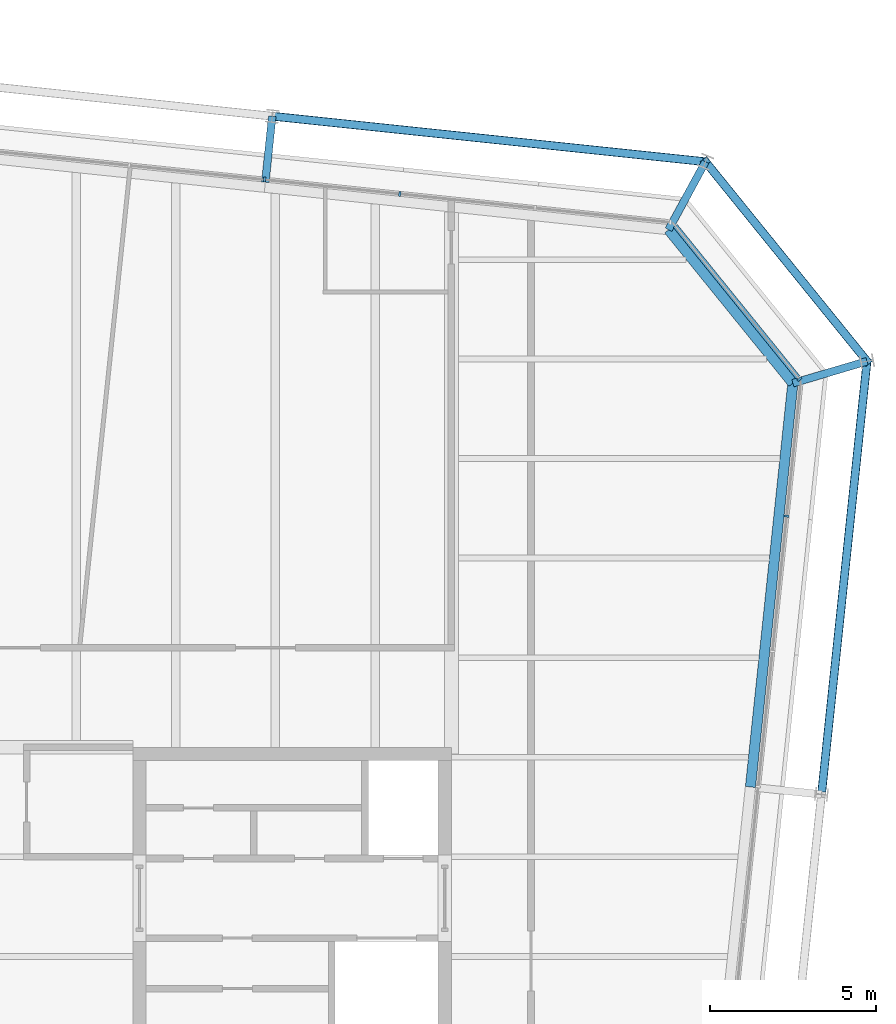
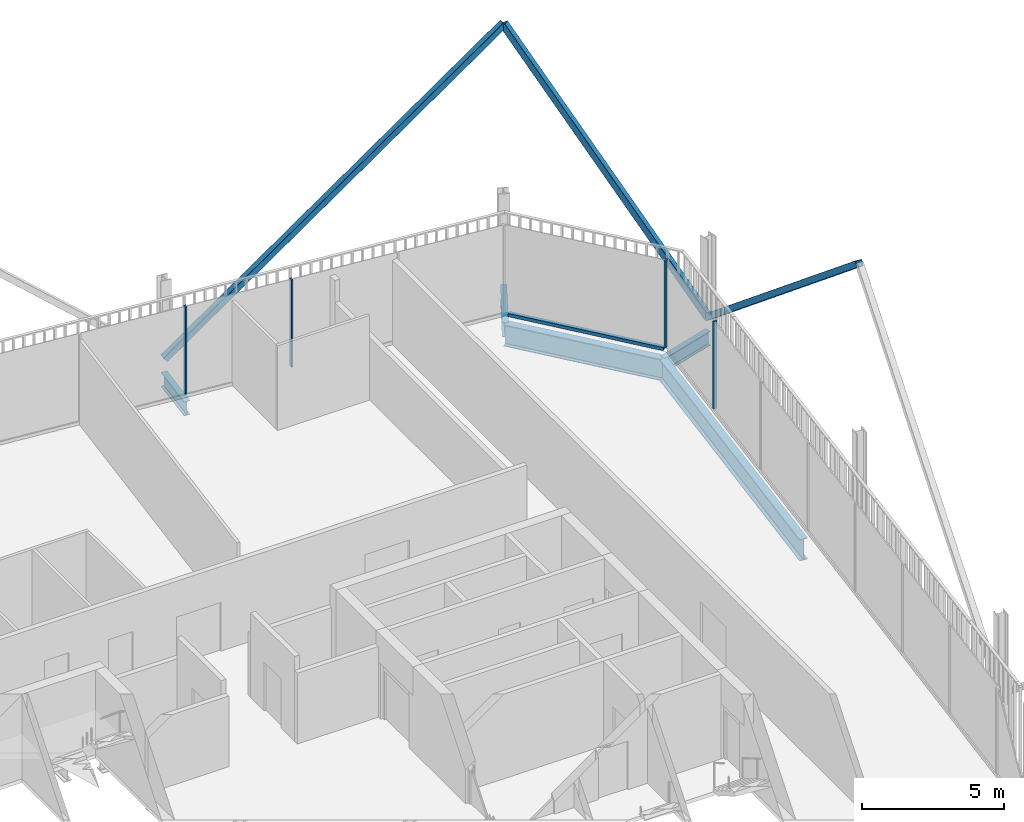
# One storey, part 15 of 21: 8 members, 5 beams, 3 elements without a shape of their own.
"""IFC4 building model written with IfcOpenShell, lengths in metres."""

from ifc_helpers import new_model, si_unit, direction, frame, origin, origin_2d, place, context, subcontext, project, spatial, rectangle, hollow_rectangle, i_section, extrude, material, layer, layer_set, material_profile, profile_set, type_object, element, aggregate, save


model = new_model("IFC4")

# Units and contexts
model_context = context("Model", 3, precision=1e-05, world=origin(), true_north=direction((0.0, 1.0)))
body_context = subcontext(model_context, "Body", "Model", "MODEL_VIEW")
ifc_project = project(units=[si_unit("LENGTHUNIT", "METRE"), si_unit("AREAUNIT", "SQUARE_METRE"), si_unit("VOLUMEUNIT", "CUBIC_METRE"), si_unit("PLANEANGLEUNIT", "RADIAN"), si_unit("MASSUNIT", "GRAM", prefix="KILO")], contexts=[model_context])

# Site, building, storey
site_placement = place(None, origin())
site = spatial("IfcSite", under=ifc_project, at=site_placement, CompositionType="ELEMENT")
building_placement = place(site_placement, origin())
building = spatial("IfcBuilding", under=site, at=building_placement, Name="Millrace Tower", CompositionType="ELEMENT")
storey_placement = place(building_placement, frame((0.0, 0.0, 307.199951171875)))
storey = spatial("IfcBuildingStorey", under=building, at=storey_placement, Name="L71", CompositionType="ELEMENT", Elevation=307.199951171875)

# Curtain wall, member
ifc_material_1 = material(Name="Aluminium and glass", Category="aluminium")
ifc_layer = layer(ifc_material_1, 0.14990234375)
ifc_layer_set = layer_set([ifc_layer], Name="Aluminium and glass")
curtain_wall_type = type_object("IfcCurtainWallType", Name="CW-1 office vision curtain wall", PredefinedType="NOTDEFINED", material=ifc_layer_set)
placement = place(storey_placement, origin())
curtain_wall_1 = element("IfcCurtainWall", 1, at=placement, inside=storey, type_object=curtain_wall_type, Name="Curtain wall E-F04 L71", PredefinedType="NOTDEFINED")
ifc_material_2 = material(Name="Aluminium", Category="aluminium")
ifc_material_profile_1 = material_profile(ifc_material_2, rectangle(XDim=0.06494140625, YDim=0.14990234375, at=origin_2d()))
ifc_profile_set_1 = profile_set([ifc_material_profile_1], Name="Aluminium")
member_type_1 = type_object("IfcMemberType", Name="CW-1 office vision curtain wall mullion", PredefinedType="MULLION", material=ifc_profile_set_1)
member_1_placement = place(storey_placement, frame((24.4033203125, 16.267822265625, 0.14013671875), z_axis=(0.0, 0.0, 1.0), x_axis=(0.104528455196, 0.994521896217, 0.0)))
member_1 = element("IfcMember", 2, at=member_1_placement, type_object=member_type_1, Name="CW1 mullion E-F04.9", PredefinedType="MULLION", context=body_context, shape_type="SweptSolid", body=[
    extrude(rectangle(XDim=0.06494140625, YDim=0.14990234375, at=origin_2d()), origin(), (0.0, 0.0, 1.0), 3.760009765625),
])
aggregate(curtain_wall_1, [member_1])

curtain_wall_2 = element("IfcCurtainWall", 3, at=placement, inside=storey, type_object=curtain_wall_type, Name="Curtain wall E-F05 L71", PredefinedType="NOTDEFINED")
member_2_placement = place(storey_placement, frame((24.791748046875, 20.393310546875, 0.14013671875), z_axis=(0.0, 0.0, 1.0), x_axis=(-0.629320278945, 0.777146052237, 0.0)))
member_2 = element("IfcMember", 4, at=member_2_placement, type_object=member_type_1, Name="CW1 mullion E-F05.1", PredefinedType="MULLION", context=body_context, shape_type="SweptSolid", body=[
    extrude(rectangle(XDim=0.06494140625, YDim=0.14990234375, at=origin_2d()), origin(), (0.0, 0.0, 1.0), 3.760009765625),
])

# Curtain wall, members
curtain_wall_3 = element("IfcCurtainWall", 5, at=placement, inside=storey, type_object=curtain_wall_type, Name="Curtain wall E-F06 L71", PredefinedType="NOTDEFINED")
member_3_placement = place(storey_placement, frame((12.747314453125, 25.98193359375, 0.14013671875), z_axis=(0.0, 0.0, 1.0), x_axis=(-0.994521896217, 0.104528455196, 0.0)))
member_3 = element("IfcMember", 6, at=member_3_placement, type_object=member_type_1, Name="CW1 mullion E-F06.3", PredefinedType="MULLION", context=body_context, shape_type="SweptSolid", body=[
    extrude(rectangle(XDim=0.06494140625, YDim=0.14990234375, at=origin_2d()), origin(), (0.0, 0.0, 1.0), 3.760009765625),
])
member_4_placement = place(storey_placement, frame((8.669921875, 26.410400390625, 0.14013671875), z_axis=(0.0, 0.0, 1.0), x_axis=(-0.994521896217, 0.104528455196, 0.0)))
member_4 = element("IfcMember", 7, at=member_4_placement, type_object=member_type_1, Name="CW1 mullion E-F06.4", PredefinedType="MULLION", context=body_context, shape_type="SweptSolid", body=[
    extrude(rectangle(XDim=0.06494140625, YDim=0.14990234375, at=origin_2d()), origin(), (0.0, 0.0, 1.0), 3.760009765625),
])
aggregate(curtain_wall_3, [member_3, member_4])

# Member
ifc_material_3 = material(Name="Aluminium", Category="aluminium")
ifc_material_profile_2 = material_profile(ifc_material_3, rectangle(XDim=0.14990234375, YDim=0.139892578125, at=origin_2d()))
ifc_profile_set_2 = profile_set([ifc_material_profile_2], Name="Aluminium")
member_type_2 = type_object("IfcMemberType", Name="CW-1 office vision curtain wall transom", PredefinedType="USERDEFINED", material=ifc_profile_set_2)
member_5_placement = place(storey_placement, frame((24.749267578125, 20.44580078125, 0.070068359375), z_axis=(-0.629321221277, 0.777145289151, 0.0), x_axis=(-0.777145289151, -0.629321221277, 0.0)))
member_5 = element("IfcMember", 8, at=member_5_placement, type_object=member_type_2, Name="CW1 transom E-F05.1", ObjectType="TRANSOM", PredefinedType="USERDEFINED", context=body_context, shape_type="SweptSolid", body=[
    extrude(rectangle(XDim=0.14990234375, YDim=0.139892578125, at=origin_2d()), origin(), (0.0, 0.0, 1.0), 5.881103515625),
])

aggregate(curtain_wall_2, [member_2, member_5])

# Members
ifc_material_4 = material(Name="Steel ASTM A500 Grade C", Category="steel")
ifc_material_profile_3 = material_profile(ifc_material_4, hollow_rectangle(XDim=0.25390625, YDim=0.25390625, WallThickness=0.009521484375, InnerFilletRadius=0.004638671875, OuterFilletRadius=0.014404296875, at=origin_2d()))
ifc_profile_set_3 = profile_set([ifc_material_profile_3], Name="Steel ASTM A500 Grade C")
member_type_3 = type_object("IfcMemberType", Name="Exoskeleton brace HSS10x10x3/8", PredefinedType="BRACE", material=ifc_profile_set_3)
member_6_placement = place(storey_placement, frame((26.82958984375, 20.935791015625, 0.400146484375), z_axis=(-0.081026610877, -0.770913209344, 0.631765393155), x_axis=(0.994521846076, -0.104528932251, 0.0)))
element("IfcMember", 9, at=member_6_placement, inside=storey, type_object=member_type_3, Name="BRC-E-L71-08", PredefinedType="BRACE", context=body_context, shape_type="SweptSolid", body=[
    extrude(hollow_rectangle(XDim=0.25390625, YDim=0.25390625, WallThickness=0.009521484375, InnerFilletRadius=0.004638671875, OuterFilletRadius=0.014404296875, at=origin_2d()), origin(), (0.0, 0.0, 1.0), 16.9365234375),
])
member_7_placement = place(storey_placement, frame((26.82958984375, 20.935791015625, 0.400146484375), z_axis=(-0.368780552487, 0.455401272853, 0.810315114503), x_axis=(-0.777142728993, -0.62932438279, 0.0)))
element("IfcMember", 10, at=member_7_placement, inside=storey, type_object=member_type_3, Name="BRC-E-L71-09", PredefinedType="BRACE", context=body_context, shape_type="SweptSolid", body=[
    extrude(hollow_rectangle(XDim=0.25390625, YDim=0.25390625, WallThickness=0.009521484375, InnerFilletRadius=0.004638671875, OuterFilletRadius=0.014404296875, at=origin_2d()), origin(), (0.0, 0.0, 1.0), 13.20458984375),
])
member_8_placement = place(storey_placement, frame((8.9033203125, 28.321533203125, 0.400146484375), z_axis=(0.770913209344, -0.081026610877, 0.631765393155), x_axis=(0.104528932251, 0.994521846076, 0.0)))
element("IfcMember", 11, at=member_8_placement, inside=storey, type_object=member_type_3, Name="BRC-E-L71-10", PredefinedType="BRACE", context=body_context, shape_type="SweptSolid", body=[
    extrude(hollow_rectangle(XDim=0.25390625, YDim=0.25390625, WallThickness=0.009521484375, InnerFilletRadius=0.004638671875, OuterFilletRadius=0.014404296875, at=origin_2d()), origin(), (0.0, 0.0, 1.0), 16.9365234375),
])

# Beams
ifc_material_5 = material(Name="Steel ASTM A992 Grade 50", Category="steel")
ifc_material_profile_4 = material_profile(ifc_material_5, i_section(OverallWidth=0.23046875, OverallDepth=0.6171875, WebThickness=0.01318359375, FlangeThickness=0.022216796875, FilletRadius=0.012939453125, at=origin_2d()))
ifc_profile_set_4 = profile_set([ifc_material_profile_4], Name="Steel ASTM A992 Grade 50")
beam_type_1 = type_object("IfcBeamType", Name="Link beam W24x94", PredefinedType="BEAM", material=ifc_profile_set_4)
beam_1_placement = place(storey_placement, frame((8.6943359375, 26.33251953125, -0.468505859375), z_axis=(0.104494148666, 0.99452550138, 0.0), x_axis=(-0.99452550138, 0.104494148666, 0.0)))
element("IfcBeam", 12, at=beam_1_placement, inside=storey, type_object=beam_type_1, Name="LNK-E-L71-S1-07", PredefinedType="BEAM", context=body_context, shape_type="SweptSolid", body=[
    extrude(i_section(OverallWidth=0.23046875, OverallDepth=0.6171875, WebThickness=0.01318359375, FlangeThickness=0.022216796875, FilletRadius=0.012939453125, at=origin_2d()), origin(), (0.0, 0.0, 1.0), 2.0),
])
for number, where, z_axis, x_axis, name in (
    (13, (20.84765625, 24.900634765625, -0.468505859375), (0.477163510307, 0.87881453358, 0.0), (-0.87881453358, 0.477163510307, 0.0), "LNK-E-L71-S1-08"),
    (14, (24.594482421875, 20.273681640625, -0.468505859375), (0.958815015936, 0.284031275065, 0.0), (-0.284031275065, 0.958815015936, 0.0), "LNK-E-L71-S1-09"),
):
    element("IfcBeam", number, at=place(storey_placement, frame(where, z_axis=z_axis, x_axis=x_axis)), inside=storey, type_object=beam_type_1, Name=name, PredefinedType="BEAM", context=body_context, shape_type="SweptSolid", body=[
        extrude(i_section(OverallWidth=0.23046875, OverallDepth=0.6171875, WebThickness=0.01318359375, FlangeThickness=0.022216796875, FilletRadius=0.012939453125, at=origin_2d()), origin(), (0.0, 0.0, 1.0), 2.3310546875),
    ])
ifc_material_6 = material(Name="Steel ASTM A992 Grade 50", Category="steel")
ifc_material_profile_5 = material_profile(ifc_material_6, i_section(OverallWidth=0.307373046875, OverallDepth=0.927001953125, WebThickness=0.01953125, FlangeThickness=0.031982421875, FilletRadius=0.01904296875, at=origin_2d()))
ifc_profile_set_5 = profile_set([ifc_material_profile_5], Name="Steel ASTM A992 Grade 50")
beam_type_2 = type_object("IfcBeamType", Name="Ring beam medium span W36x194", PredefinedType="SPANDREL", material=ifc_profile_set_5)
beam_2_placement = place(storey_placement, frame((24.594482421875, 20.273681640625, -0.62353515625), z_axis=(-0.104527955888, -0.994521948696, 0.0), x_axis=(0.994521948696, -0.104527955888, 0.0)))
element("IfcBeam", 15, at=beam_2_placement, inside=storey, type_object=beam_type_2, Name="RNG-E-L71-S1-09", PredefinedType="SPANDREL", context=body_context, shape_type="SweptSolid", body=[
    extrude(i_section(OverallWidth=0.307373046875, OverallDepth=0.927001953125, WebThickness=0.01953125, FlangeThickness=0.031982421875, FilletRadius=0.01904296875, at=origin_2d()), origin(), (0.0, 0.0, 1.0), 12.236572265625),
])
ifc_material_7 = material(Name="Steel ASTM A992 Grade 50", Category="steel")
ifc_material_profile_6 = material_profile(ifc_material_7, i_section(OverallWidth=0.307373046875, OverallDepth=0.927001953125, WebThickness=0.01953125, FlangeThickness=0.031982421875, FilletRadius=0.01904296875, at=origin_2d()))
ifc_profile_set_6 = profile_set([ifc_material_profile_6], Name="Steel ASTM A992 Grade 50")
beam_type_3 = type_object("IfcBeamType", Name="Ring beam short span W36x194", PredefinedType="SPANDREL", material=ifc_profile_set_6)
beam_3_placement = place(storey_placement, frame((20.84765625, 24.900634765625, -0.62353515625), z_axis=(0.629319722443, -0.777146502883, 0.0), x_axis=(0.777146502883, 0.629319722443, 0.0)))
element("IfcBeam", 16, at=beam_3_placement, inside=storey, type_object=beam_type_3, Name="RNG-E-L71-S1-08", PredefinedType="SPANDREL", context=body_context, shape_type="SweptSolid", body=[
    extrude(i_section(OverallWidth=0.307373046875, OverallDepth=0.927001953125, WebThickness=0.01953125, FlangeThickness=0.031982421875, FilletRadius=0.01904296875, at=origin_2d()), origin(), (0.0, 0.0, 1.0), 5.953857421875),
])

save(model, "model.ifc")
